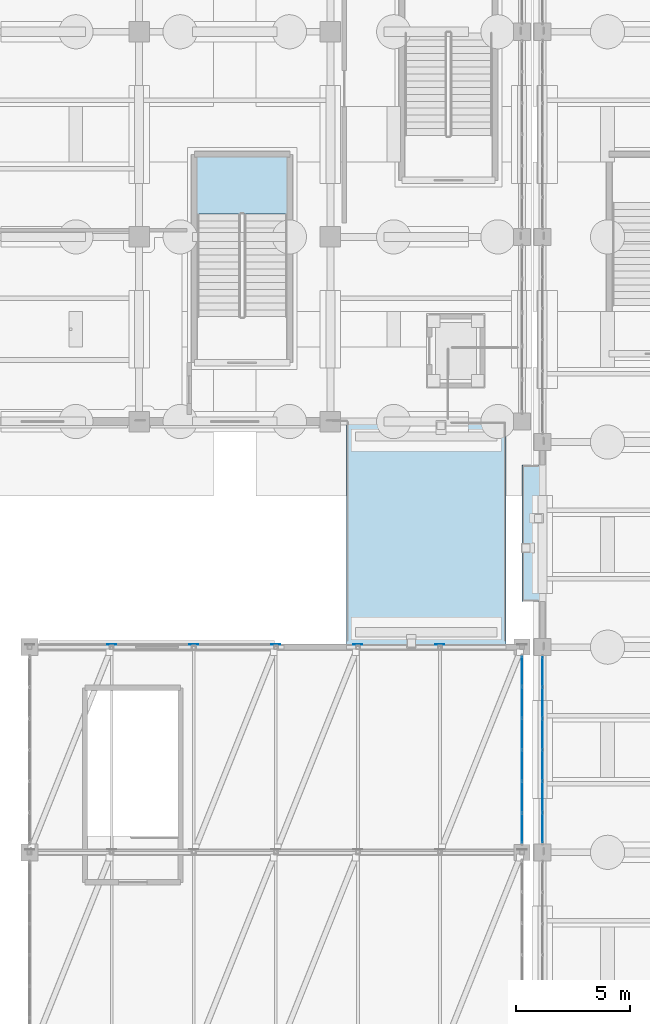
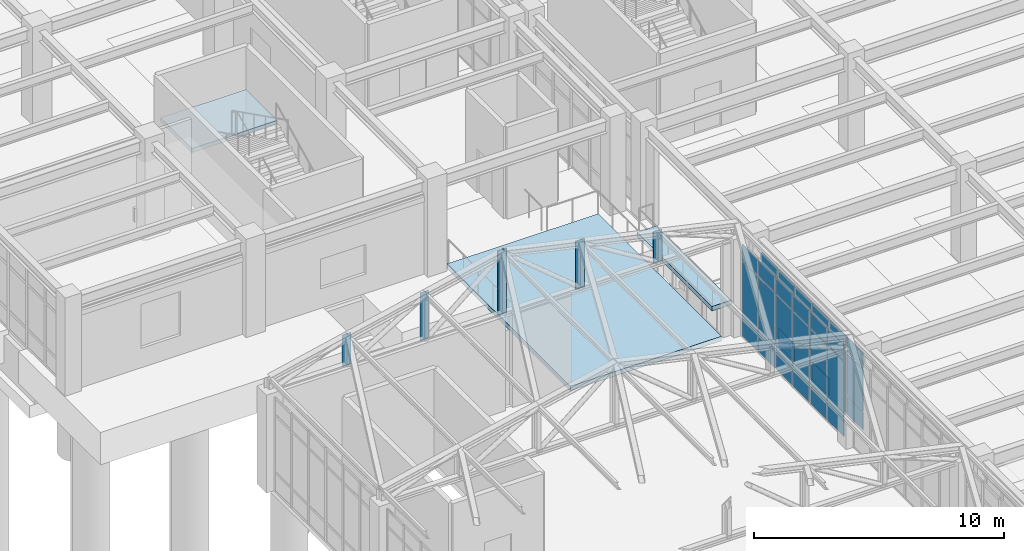
# One storey, part 101 of 139: 41 plates, 3 slabs, 3 elements without a shape of their own.
"""IFC4 building model written with IfcOpenShell, lengths in metres."""

from ifc_helpers import new_model, si_unit, direction, frame, origin, origin_2d, place, context, subcontext, project, spatial, polyline, rectangle, outline, extrude, material, layer, layer_set, type_object, element, aggregate, save


model = new_model("IFC4")

# Units and contexts
model_context = context("Model", 3, precision=1e-05, world=origin(), true_north=direction((0.0, 1.0)))
body_context = subcontext(model_context, "Body", "Model", "MODEL_VIEW")
ifc_project = project(units=[si_unit("LENGTHUNIT", "METRE"), si_unit("AREAUNIT", "SQUARE_METRE"), si_unit("VOLUMEUNIT", "CUBIC_METRE"), si_unit("PLANEANGLEUNIT", "RADIAN"), si_unit("MASSUNIT", "GRAM", prefix="KILO")], contexts=[model_context])

# Site, building, storey
site_placement = place(None, origin())
site = spatial("IfcSite", under=ifc_project, at=site_placement, CompositionType="ELEMENT")
building_placement = place(site_placement, origin())
building = spatial("IfcBuilding", under=site, at=building_placement, Name="Canglan Escarpment Cableway Terminal", CompositionType="ELEMENT")
storey_placement = place(building_placement, frame((0.0, 0.0, 14.39990234375)))
storey = spatial("IfcBuildingStorey", under=building, at=storey_placement, Name="L03", CompositionType="ELEMENT", Elevation=14.39990234375)

# Curtain wall, plates
ifc_material_1 = material(Name="Anodized bronze aluminium and Low-E double glazing", Category="aluminium")
curtain_wall_type_1 = type_object("IfcCurtainWallType", Name="CW-BAY-8250x3900", PredefinedType="NOTDEFINED", material=ifc_material_1)
curtain_wall_1_placement = place(storey_placement, origin())
curtain_wall_1 = element("IfcCurtainWall", 1, at=curtain_wall_1_placement, inside=storey, type_object=curtain_wall_type_1, Name="Classical bay-between-piers glazed curtain wall CW-62", PredefinedType="NOTDEFINED")
ifc_material_2 = material(Name="Double-silver Low-E laminated insulating glass", Category="glass")
ifc_layer_1 = layer(ifc_material_2, 0.02392578125, Name="Double-silver Low-E laminated insulating glass")
ifc_layer_set_1 = layer_set([ifc_layer_1], Name="Double-silver Low-E laminated insulating glass")
plate_type_1 = type_object("IfcPlateType", Name="CWP-01", PredefinedType="CURTAIN_PANEL", material=ifc_layer_set_1)
plate_1_placement = place(storey_placement, frame((137.60009765625, 77.921142578125, 0.06005859375), z_axis=(0.0, 0.0, 1.0), x_axis=(0.0, -1.0, 0.0)))
plate_1 = element("IfcPlate", 2, at=plate_1_placement, type_object=plate_type_1, Name="CW-62 panel 1.1", PredefinedType="CURTAIN_PANEL", context=body_context, shape_type="SweptSolid", body=[
    extrude(rectangle(XDim=1.277587890625, YDim=0.02392578125, at=origin_2d()), origin(), (0.0, 0.0, 1.0), 0.860107421875),
])
plate_2_placement = place(storey_placement, frame((137.60009765625, 77.921142578125, 0.97998046875), z_axis=(0.0, 0.0, 1.0), x_axis=(0.0, -1.0, 0.0)))
plate_2 = element("IfcPlate", 3, at=plate_2_placement, type_object=plate_type_1, Name="CW-62 panel 1.2", PredefinedType="CURTAIN_PANEL", context=body_context, shape_type="SweptSolid", body=[
    extrude(rectangle(XDim=1.277587890625, YDim=0.02392578125, at=origin_2d()), origin(), (0.0, 0.0, 1.0), 2.031005859375),
])
plate_3_placement = place(storey_placement, frame((137.60009765625, 77.921142578125, 3.0712890625), z_axis=(0.0, 0.0, 1.0), x_axis=(0.0, -1.0, 0.0)))
plate_3 = element("IfcPlate", 4, at=plate_3_placement, type_object=plate_type_1, Name="CW-62 panel 1.3", PredefinedType="CURTAIN_PANEL", context=body_context, shape_type="SweptSolid", body=[
    extrude(rectangle(XDim=1.277587890625, YDim=0.02392578125, at=origin_2d()), origin(), (0.0, 0.0, 1.0), 0.760009765625),
])
plate_4_placement = place(storey_placement, frame((137.60009765625, 76.5625, 0.06005859375), z_axis=(0.0, 0.0, 1.0), x_axis=(0.0, -1.0, 0.0)))
plate_4 = element("IfcPlate", 5, at=plate_4_placement, type_object=plate_type_1, Name="CW-62 panel 2.1", PredefinedType="CURTAIN_PANEL", context=body_context, shape_type="SweptSolid", body=[
    extrude(rectangle(XDim=1.31005859375, YDim=0.02392578125, at=origin_2d()), origin(), (0.0, 0.0, 1.0), 0.860107421875),
])
plate_5_placement = place(storey_placement, frame((137.60009765625, 76.5625, 0.97998046875), z_axis=(0.0, 0.0, 1.0), x_axis=(0.0, -1.0, 0.0)))
plate_5 = element("IfcPlate", 6, at=plate_5_placement, type_object=plate_type_1, Name="CW-62 panel 2.2", PredefinedType="CURTAIN_PANEL", context=body_context, shape_type="SweptSolid", body=[
    extrude(rectangle(XDim=1.31005859375, YDim=0.02392578125, at=origin_2d()), origin(), (0.0, 0.0, 1.0), 2.031005859375),
])
plate_6_placement = place(storey_placement, frame((137.60009765625, 76.5625, 3.0712890625), z_axis=(0.0, 0.0, 1.0), x_axis=(0.0, -1.0, 0.0)))
plate_6 = element("IfcPlate", 7, at=plate_6_placement, type_object=plate_type_1, Name="CW-62 panel 2.3", PredefinedType="CURTAIN_PANEL", context=body_context, shape_type="SweptSolid", body=[
    extrude(rectangle(XDim=1.31005859375, YDim=0.02392578125, at=origin_2d()), origin(), (0.0, 0.0, 1.0), 0.760009765625),
])
plate_7_placement = place(storey_placement, frame((137.60009765625, 75.1875, 0.06005859375), z_axis=(0.0, 0.0, 1.0), x_axis=(0.0, -1.0, 0.0)))
plate_7 = element("IfcPlate", 8, at=plate_7_placement, type_object=plate_type_1, Name="CW-62 panel 3.1", PredefinedType="CURTAIN_PANEL", context=body_context, shape_type="SweptSolid", body=[
    extrude(rectangle(XDim=1.31005859375, YDim=0.02392578125, at=origin_2d()), origin(), (0.0, 0.0, 1.0), 0.860107421875),
])
plate_8_placement = place(storey_placement, frame((137.60009765625, 75.1875, 0.97998046875), z_axis=(0.0, 0.0, 1.0), x_axis=(0.0, -1.0, 0.0)))
plate_8 = element("IfcPlate", 9, at=plate_8_placement, type_object=plate_type_1, Name="CW-62 panel 3.2", PredefinedType="CURTAIN_PANEL", context=body_context, shape_type="SweptSolid", body=[
    extrude(rectangle(XDim=1.31005859375, YDim=0.02392578125, at=origin_2d()), origin(), (0.0, 0.0, 1.0), 2.031005859375),
])
plate_9_placement = place(storey_placement, frame((137.60009765625, 75.1875, 3.0712890625), z_axis=(0.0, 0.0, 1.0), x_axis=(0.0, -1.0, 0.0)))
plate_9 = element("IfcPlate", 10, at=plate_9_placement, type_object=plate_type_1, Name="CW-62 panel 3.3", PredefinedType="CURTAIN_PANEL", context=body_context, shape_type="SweptSolid", body=[
    extrude(rectangle(XDim=1.31005859375, YDim=0.02392578125, at=origin_2d()), origin(), (0.0, 0.0, 1.0), 0.760009765625),
])
plate_10_placement = place(storey_placement, frame((137.60009765625, 73.8125, 0.06005859375), z_axis=(0.0, 0.0, 1.0), x_axis=(0.0, -1.0, 0.0)))
plate_10 = element("IfcPlate", 11, at=plate_10_placement, type_object=plate_type_1, Name="CW-62 panel 4.1", PredefinedType="CURTAIN_PANEL", context=body_context, shape_type="SweptSolid", body=[
    extrude(rectangle(XDim=1.31005859375, YDim=0.02392578125, at=origin_2d()), origin(), (0.0, 0.0, 1.0), 0.860107421875),
])
plate_11_placement = place(storey_placement, frame((137.60009765625, 73.8125, 0.97998046875), z_axis=(0.0, 0.0, 1.0), x_axis=(0.0, -1.0, 0.0)))
plate_11 = element("IfcPlate", 12, at=plate_11_placement, type_object=plate_type_1, Name="CW-62 panel 4.2", PredefinedType="CURTAIN_PANEL", context=body_context, shape_type="SweptSolid", body=[
    extrude(rectangle(XDim=1.31005859375, YDim=0.02392578125, at=origin_2d()), origin(), (0.0, 0.0, 1.0), 2.031005859375),
])
plate_12_placement = place(storey_placement, frame((137.60009765625, 73.8125, 3.0712890625), z_axis=(0.0, 0.0, 1.0), x_axis=(0.0, -1.0, 0.0)))
plate_12 = element("IfcPlate", 13, at=plate_12_placement, type_object=plate_type_1, Name="CW-62 panel 4.3", PredefinedType="CURTAIN_PANEL", context=body_context, shape_type="SweptSolid", body=[
    extrude(rectangle(XDim=1.31005859375, YDim=0.02392578125, at=origin_2d()), origin(), (0.0, 0.0, 1.0), 0.760009765625),
])
plate_13_placement = place(storey_placement, frame((137.60009765625, 72.4375, 0.06005859375), z_axis=(0.0, 0.0, 1.0), x_axis=(0.0, -1.0, 0.0)))
plate_13 = element("IfcPlate", 14, at=plate_13_placement, type_object=plate_type_1, Name="CW-62 panel 5.1", PredefinedType="CURTAIN_PANEL", context=body_context, shape_type="SweptSolid", body=[
    extrude(rectangle(XDim=1.31005859375, YDim=0.02392578125, at=origin_2d()), origin(), (0.0, 0.0, 1.0), 0.860107421875),
])
plate_14_placement = place(storey_placement, frame((137.60009765625, 72.4375, 0.97998046875), z_axis=(0.0, 0.0, 1.0), x_axis=(0.0, -1.0, 0.0)))
plate_14 = element("IfcPlate", 15, at=plate_14_placement, type_object=plate_type_1, Name="CW-62 panel 5.2", PredefinedType="CURTAIN_PANEL", context=body_context, shape_type="SweptSolid", body=[
    extrude(rectangle(XDim=1.31005859375, YDim=0.02392578125, at=origin_2d()), origin(), (0.0, 0.0, 1.0), 2.031005859375),
])
plate_15_placement = place(storey_placement, frame((137.60009765625, 72.4375, 3.0712890625), z_axis=(0.0, 0.0, 1.0), x_axis=(0.0, -1.0, 0.0)))
plate_15 = element("IfcPlate", 16, at=plate_15_placement, type_object=plate_type_1, Name="CW-62 panel 5.3", PredefinedType="CURTAIN_PANEL", context=body_context, shape_type="SweptSolid", body=[
    extrude(rectangle(XDim=1.31005859375, YDim=0.02392578125, at=origin_2d()), origin(), (0.0, 0.0, 1.0), 0.760009765625),
])
plate_16_placement = place(storey_placement, frame((137.60009765625, 71.078857421875, 0.06005859375), z_axis=(0.0, 0.0, 1.0), x_axis=(0.0, -1.0, 0.0)))
plate_16 = element("IfcPlate", 17, at=plate_16_placement, type_object=plate_type_1, Name="CW-62 panel 6.1", PredefinedType="CURTAIN_PANEL", context=body_context, shape_type="SweptSolid", body=[
    extrude(rectangle(XDim=1.277587890625, YDim=0.02392578125, at=origin_2d()), origin(), (0.0, 0.0, 1.0), 0.860107421875),
])
plate_17_placement = place(storey_placement, frame((137.60009765625, 71.078857421875, 0.97998046875), z_axis=(0.0, 0.0, 1.0), x_axis=(0.0, -1.0, 0.0)))
plate_17 = element("IfcPlate", 18, at=plate_17_placement, type_object=plate_type_1, Name="CW-62 panel 6.2", PredefinedType="CURTAIN_PANEL", context=body_context, shape_type="SweptSolid", body=[
    extrude(rectangle(XDim=1.277587890625, YDim=0.02392578125, at=origin_2d()), origin(), (0.0, 0.0, 1.0), 2.031005859375),
])
plate_18_placement = place(storey_placement, frame((137.60009765625, 71.078857421875, 3.0712890625), z_axis=(0.0, 0.0, 1.0), x_axis=(0.0, -1.0, 0.0)))
plate_18 = element("IfcPlate", 19, at=plate_18_placement, type_object=plate_type_1, Name="CW-62 panel 6.3", PredefinedType="CURTAIN_PANEL", context=body_context, shape_type="SweptSolid", body=[
    extrude(rectangle(XDim=1.277587890625, YDim=0.02392578125, at=origin_2d()), origin(), (0.0, 0.0, 1.0), 0.760009765625),
])
aggregate(curtain_wall_1, [plate_1, plate_2, plate_3, plate_4, plate_5, plate_6, plate_7, plate_8, plate_9, plate_10, plate_11, plate_12, plate_13, plate_14, plate_15, plate_16, plate_17, plate_18])

curtain_wall_type_2 = type_object("IfcCurtainWallType", Name="CW-BAY-8300x4600", PredefinedType="NOTDEFINED", material=ifc_material_1)
curtain_wall_2_placement = place(storey_placement, origin())
curtain_wall_2 = element("IfcCurtainWall", 20, at=curtain_wall_2_placement, inside=storey, type_object=curtain_wall_type_2, Name="Classical bay-between-piers glazed curtain wall CW-45", PredefinedType="NOTDEFINED")
ifc_layer_2 = layer(ifc_material_2, 0.028076171875, Name="Double-silver Low-E laminated insulating glass")
ifc_layer_set_2 = layer_set([ifc_layer_2], Name="Double-silver Low-E laminated insulating glass")
plate_type_2 = type_object("IfcPlateType", Name="CWP-02", PredefinedType="CURTAIN_PANEL", material=ifc_layer_set_2)
plate_19_placement = place(storey_placement, frame((136.699951171875, 71.057861328125, 0.06005859375), z_axis=(0.0, 0.0, 1.0), x_axis=(0.0, 1.0, 0.0)))
plate_19 = element("IfcPlate", 21, at=plate_19_placement, type_object=plate_type_2, Name="CW-45 panel 1.1", PredefinedType="CURTAIN_PANEL", context=body_context, shape_type="SweptSolid", body=[
    extrude(rectangle(XDim=1.285888671875, YDim=0.028076171875, at=origin_2d()), origin(), (0.0, 0.0, 1.0), 0.860107421875),
])
plate_20_placement = place(storey_placement, frame((136.699951171875, 71.057861328125, 0.97998046875), z_axis=(0.0, 0.0, 1.0), x_axis=(0.0, 1.0, 0.0)))
plate_20 = element("IfcPlate", 22, at=plate_20_placement, type_object=plate_type_2, Name="CW-45 panel 1.2", PredefinedType="CURTAIN_PANEL", context=body_context, shape_type="SweptSolid", body=[
    extrude(rectangle(XDim=1.285888671875, YDim=0.028076171875, at=origin_2d()), origin(), (0.0, 0.0, 1.0), 2.739990234375),
])
plate_21_placement = place(storey_placement, frame((136.699951171875, 71.057861328125, 3.7802734375), z_axis=(0.0, 0.0, 1.0), x_axis=(0.0, 1.0, 0.0)))
plate_21 = element("IfcPlate", 23, at=plate_21_placement, type_object=plate_type_2, Name="CW-45 panel 1.3", PredefinedType="CURTAIN_PANEL", context=body_context, shape_type="SweptSolid", body=[
    extrude(rectangle(XDim=1.285888671875, YDim=0.028076171875, at=origin_2d()), origin(), (0.0, 0.0, 1.0), 0.760009765625),
])
plate_22_placement = place(storey_placement, frame((136.699951171875, 72.425048828125, 0.06005859375), z_axis=(0.0, 0.0, 1.0), x_axis=(0.0, 1.0, 0.0)))
plate_22 = element("IfcPlate", 24, at=plate_22_placement, type_object=plate_type_2, Name="CW-45 panel 2.1", PredefinedType="CURTAIN_PANEL", context=body_context, shape_type="SweptSolid", body=[
    extrude(rectangle(XDim=1.318359375, YDim=0.028076171875, at=origin_2d()), origin(), (0.0, 0.0, 1.0), 0.860107421875),
])
plate_23_placement = place(storey_placement, frame((136.699951171875, 72.425048828125, 0.97998046875), z_axis=(0.0, 0.0, 1.0), x_axis=(0.0, 1.0, 0.0)))
plate_23 = element("IfcPlate", 25, at=plate_23_placement, type_object=plate_type_2, Name="CW-45 panel 2.2", PredefinedType="CURTAIN_PANEL", context=body_context, shape_type="SweptSolid", body=[
    extrude(rectangle(XDim=1.318359375, YDim=0.028076171875, at=origin_2d()), origin(), (0.0, 0.0, 1.0), 2.739990234375),
])
plate_24_placement = place(storey_placement, frame((136.699951171875, 72.425048828125, 3.7802734375), z_axis=(0.0, 0.0, 1.0), x_axis=(0.0, 1.0, 0.0)))
plate_24 = element("IfcPlate", 26, at=plate_24_placement, type_object=plate_type_2, Name="CW-45 panel 2.3", PredefinedType="CURTAIN_PANEL", context=body_context, shape_type="SweptSolid", body=[
    extrude(rectangle(XDim=1.318359375, YDim=0.028076171875, at=origin_2d()), origin(), (0.0, 0.0, 1.0), 0.760009765625),
])
plate_25_placement = place(storey_placement, frame((136.699951171875, 73.808349609375, 0.06005859375), z_axis=(0.0, 0.0, 1.0), x_axis=(0.0, 1.0, 0.0)))
plate_25 = element("IfcPlate", 27, at=plate_25_placement, type_object=plate_type_2, Name="CW-45 panel 3.1", PredefinedType="CURTAIN_PANEL", context=body_context, shape_type="SweptSolid", body=[
    extrude(rectangle(XDim=1.318359375, YDim=0.028076171875, at=origin_2d()), origin(), (0.0, 0.0, 1.0), 0.860107421875),
])
plate_26_placement = place(storey_placement, frame((136.699951171875, 73.808349609375, 0.97998046875), z_axis=(0.0, 0.0, 1.0), x_axis=(0.0, 1.0, 0.0)))
plate_26 = element("IfcPlate", 28, at=plate_26_placement, type_object=plate_type_2, Name="CW-45 panel 3.2", PredefinedType="CURTAIN_PANEL", context=body_context, shape_type="SweptSolid", body=[
    extrude(rectangle(XDim=1.318359375, YDim=0.028076171875, at=origin_2d()), origin(), (0.0, 0.0, 1.0), 2.739990234375),
])
plate_27_placement = place(storey_placement, frame((136.699951171875, 73.808349609375, 3.7802734375), z_axis=(0.0, 0.0, 1.0), x_axis=(0.0, 1.0, 0.0)))
plate_27 = element("IfcPlate", 29, at=plate_27_placement, type_object=plate_type_2, Name="CW-45 panel 3.3", PredefinedType="CURTAIN_PANEL", context=body_context, shape_type="SweptSolid", body=[
    extrude(rectangle(XDim=1.318359375, YDim=0.028076171875, at=origin_2d()), origin(), (0.0, 0.0, 1.0), 0.760009765625),
])
plate_28_placement = place(storey_placement, frame((136.699951171875, 75.191650390625, 0.06005859375), z_axis=(0.0, 0.0, 1.0), x_axis=(0.0, 1.0, 0.0)))
plate_28 = element("IfcPlate", 30, at=plate_28_placement, type_object=plate_type_2, Name="CW-45 panel 4.1", PredefinedType="CURTAIN_PANEL", context=body_context, shape_type="SweptSolid", body=[
    extrude(rectangle(XDim=1.318359375, YDim=0.028076171875, at=origin_2d()), origin(), (0.0, 0.0, 1.0), 0.860107421875),
])
plate_29_placement = place(storey_placement, frame((136.699951171875, 75.191650390625, 0.97998046875), z_axis=(0.0, 0.0, 1.0), x_axis=(0.0, 1.0, 0.0)))
plate_29 = element("IfcPlate", 31, at=plate_29_placement, type_object=plate_type_2, Name="CW-45 panel 4.2", PredefinedType="CURTAIN_PANEL", context=body_context, shape_type="SweptSolid", body=[
    extrude(rectangle(XDim=1.318359375, YDim=0.028076171875, at=origin_2d()), origin(), (0.0, 0.0, 1.0), 2.739990234375),
])
plate_30_placement = place(storey_placement, frame((136.699951171875, 75.191650390625, 3.7802734375), z_axis=(0.0, 0.0, 1.0), x_axis=(0.0, 1.0, 0.0)))
plate_30 = element("IfcPlate", 32, at=plate_30_placement, type_object=plate_type_2, Name="CW-45 panel 4.3", PredefinedType="CURTAIN_PANEL", context=body_context, shape_type="SweptSolid", body=[
    extrude(rectangle(XDim=1.318359375, YDim=0.028076171875, at=origin_2d()), origin(), (0.0, 0.0, 1.0), 0.760009765625),
])
plate_31_placement = place(storey_placement, frame((136.699951171875, 76.574951171875, 0.06005859375), z_axis=(0.0, 0.0, 1.0), x_axis=(0.0, 1.0, 0.0)))
plate_31 = element("IfcPlate", 33, at=plate_31_placement, type_object=plate_type_2, Name="CW-45 panel 5.1", PredefinedType="CURTAIN_PANEL", context=body_context, shape_type="SweptSolid", body=[
    extrude(rectangle(XDim=1.318359375, YDim=0.028076171875, at=origin_2d()), origin(), (0.0, 0.0, 1.0), 0.860107421875),
])
plate_32_placement = place(storey_placement, frame((136.699951171875, 76.574951171875, 0.97998046875), z_axis=(0.0, 0.0, 1.0), x_axis=(0.0, 1.0, 0.0)))
plate_32 = element("IfcPlate", 34, at=plate_32_placement, type_object=plate_type_2, Name="CW-45 panel 5.2", PredefinedType="CURTAIN_PANEL", context=body_context, shape_type="SweptSolid", body=[
    extrude(rectangle(XDim=1.318359375, YDim=0.028076171875, at=origin_2d()), origin(), (0.0, 0.0, 1.0), 2.739990234375),
])
plate_33_placement = place(storey_placement, frame((136.699951171875, 76.574951171875, 3.7802734375), z_axis=(0.0, 0.0, 1.0), x_axis=(0.0, 1.0, 0.0)))
plate_33 = element("IfcPlate", 35, at=plate_33_placement, type_object=plate_type_2, Name="CW-45 panel 5.3", PredefinedType="CURTAIN_PANEL", context=body_context, shape_type="SweptSolid", body=[
    extrude(rectangle(XDim=1.318359375, YDim=0.028076171875, at=origin_2d()), origin(), (0.0, 0.0, 1.0), 0.760009765625),
])
plate_34_placement = place(storey_placement, frame((136.699951171875, 77.942138671875, 0.06005859375), z_axis=(0.0, 0.0, 1.0), x_axis=(0.0, 1.0, 0.0)))
plate_34 = element("IfcPlate", 36, at=plate_34_placement, type_object=plate_type_2, Name="CW-45 panel 6.1", PredefinedType="CURTAIN_PANEL", context=body_context, shape_type="SweptSolid", body=[
    extrude(rectangle(XDim=1.285888671875, YDim=0.028076171875, at=origin_2d()), origin(), (0.0, 0.0, 1.0), 0.860107421875),
])
plate_35_placement = place(storey_placement, frame((136.699951171875, 77.942138671875, 0.97998046875), z_axis=(0.0, 0.0, 1.0), x_axis=(0.0, 1.0, 0.0)))
plate_35 = element("IfcPlate", 37, at=plate_35_placement, type_object=plate_type_2, Name="CW-45 panel 6.2", PredefinedType="CURTAIN_PANEL", context=body_context, shape_type="SweptSolid", body=[
    extrude(rectangle(XDim=1.285888671875, YDim=0.028076171875, at=origin_2d()), origin(), (0.0, 0.0, 1.0), 2.739990234375),
])
plate_36_placement = place(storey_placement, frame((136.699951171875, 77.942138671875, 3.7802734375), z_axis=(0.0, 0.0, 1.0), x_axis=(0.0, 1.0, 0.0)))
plate_36 = element("IfcPlate", 38, at=plate_36_placement, type_object=plate_type_2, Name="CW-45 panel 6.3", PredefinedType="CURTAIN_PANEL", context=body_context, shape_type="SweptSolid", body=[
    extrude(rectangle(XDim=1.285888671875, YDim=0.028076171875, at=origin_2d()), origin(), (0.0, 0.0, 1.0), 0.760009765625),
])
aggregate(curtain_wall_2, [plate_19, plate_20, plate_21, plate_22, plate_23, plate_24, plate_25, plate_26, plate_27, plate_28, plate_29, plate_30, plate_31, plate_32, plate_33, plate_34, plate_35, plate_36])

# Plates
ifc_material_3 = material(Name="Steel Q355B", Category="steel")
ifc_layer_3 = layer(ifc_material_3, 0.02001953125, Name="Steel Q355B")
ifc_layer_set_3 = layer_set([ifc_layer_3], Name="Steel Q355B")
plate_type_3 = type_object("IfcPlateType", Name="PLT-GUSSET-20", PredefinedType="USERDEFINED", material=ifc_layer_set_3)
plate_37_placement = place(storey_placement, frame((118.699951171875, 79.114990234375, 4.580078125), z_axis=(0.0, 0.0, 1.0), x_axis=(1.0, 0.0, 0.0)))
element("IfcPlate", 39, at=plate_37_placement, inside=storey, type_object=plate_type_3, Name="Pratt truss gusset plate GP-02", ObjectType="GUSSET PLATE", PredefinedType="USERDEFINED", context=body_context, shape_type="SweptSolid", body=[
    extrude(rectangle(XDim=0.39990234375, YDim=0.02001953125, at=origin_2d()), origin(), (0.0, 0.0, 1.0), 1.5400390625),
])
plate_38_placement = place(storey_placement, frame((122.300048828125, 79.114990234375, 4.580078125), z_axis=(0.0, 0.0, 1.0), x_axis=(1.0, 0.0, 0.0)))
element("IfcPlate", 40, at=plate_38_placement, inside=storey, type_object=plate_type_3, Name="Pratt truss gusset plate GP-02", ObjectType="GUSSET PLATE", PredefinedType="USERDEFINED", context=body_context, shape_type="SweptSolid", body=[
    extrude(rectangle(XDim=0.39990234375, YDim=0.02001953125, at=origin_2d()), origin(), (0.0, 0.0, 1.0), 2.340087890625),
])
plate_39_placement = place(storey_placement, frame((125.89990234375, 79.114990234375, 4.580078125), z_axis=(0.0, 0.0, 1.0), x_axis=(1.0, 0.0, 0.0)))
element("IfcPlate", 41, at=plate_39_placement, inside=storey, type_object=plate_type_3, Name="Pratt truss gusset plate GP-02", ObjectType="GUSSET PLATE", PredefinedType="USERDEFINED", context=body_context, shape_type="SweptSolid", body=[
    extrude(rectangle(XDim=0.39990234375, YDim=0.02001953125, at=origin_2d()), origin(), (0.0, 0.0, 1.0), 3.139892578125),
])
plate_40_placement = place(storey_placement, frame((129.5, 79.114990234375, 4.580078125), z_axis=(0.0, 0.0, 1.0), x_axis=(1.0, 0.0, 0.0)))
element("IfcPlate", 42, at=plate_40_placement, inside=storey, type_object=plate_type_3, Name="Pratt truss gusset plate GP-02", ObjectType="GUSSET PLATE", PredefinedType="USERDEFINED", context=body_context, shape_type="SweptSolid", body=[
    extrude(rectangle(XDim=0.39990234375, YDim=0.02001953125, at=origin_2d()), origin(), (0.0, 0.0, 1.0), 2.340087890625),
])
plate_41_placement = place(storey_placement, frame((133.10009765625, 79.114990234375, 4.580078125), z_axis=(0.0, 0.0, 1.0), x_axis=(1.0, 0.0, 0.0)))
element("IfcPlate", 43, at=plate_41_placement, inside=storey, type_object=plate_type_3, Name="Pratt truss gusset plate GP-02", ObjectType="GUSSET PLATE", PredefinedType="USERDEFINED", context=body_context, shape_type="SweptSolid", body=[
    extrude(rectangle(XDim=0.39990234375, YDim=0.02001953125, at=origin_2d()), origin(), (0.0, 0.0, 1.0), 1.5400390625),
])

# Slabs
ifc_material_4 = material(Name="Concrete C40", Category="concrete")
ifc_layer_4 = layer(ifc_material_4, 0.219970703125, Name="Concrete C40")
ifc_layer_set_4 = layer_set([ifc_layer_4], Name="Concrete C40")
slab_type_1 = type_object("IfcSlabType", Name="SLB-LINK-220", PredefinedType="FLOOR", material=ifc_layer_set_4)
slab_1_placement = place(storey_placement, frame((0.0, 0.0, -0.219970703125)))
element("IfcSlab", 44, at=slab_1_placement, inside=storey, type_object=slab_type_1, Name="Movement-joint concourse link slab MJ-S1", PredefinedType="FLOOR", context=body_context, shape_type="SweptSolid", body=[
    extrude(outline(polyline([(136.699951171875, 81.0), (136.699951171875, 87.0), (137.594970703125, 87.0), (137.594970703125, 81.0), (136.699951171875, 81.0)])), origin(), (0.0, 0.0, 1.0), 0.219970703125),
])
slab_2_placement = place(storey_placement, frame((0.0, 0.0, -0.219970703125)))
element("IfcSlab", 45, at=slab_2_placement, inside=storey, type_object=slab_type_1, Name="Movement-joint concourse link slab MJ-S1", PredefinedType="FLOOR", context=body_context, shape_type="SweptSolid", body=[
    extrude(outline(polyline([(136.0, 79.0048828125), (129.0, 79.0048828125), (129.0, 88.89501953125), (136.0, 88.89501953125), (136.0, 79.0048828125)])), origin(), (0.0, 0.0, 1.0), 0.219970703125),
])

# Stair, slab
stair_type = type_object("IfcStairType", Name="STR-DOGLEG-1900", PredefinedType="HALF_TURN_STAIR", material=ifc_material_4)
stair_placement = place(storey_placement, origin())
stair = element("IfcStair", 46, at=stair_placement, inside=storey, type_object=stair_type, Name="L03 Protected Exit Stair ST-12", PredefinedType="HALF_TURN_STAIR")
ifc_layer_5 = layer(ifc_material_4, 0.199951171875, Name="Concrete C40")
ifc_layer_set_5 = layer_set([ifc_layer_5], Name="Concrete C40")
slab_type_2 = type_object("IfcSlabType", Name="SLB-STAIR-LAND-200", PredefinedType="LANDING", material=ifc_layer_set_5)
slab_3_placement = place(storey_placement, frame((0.0, 0.0, 2.2001953125)))
slab_3 = element("IfcSlab", 47, at=slab_3_placement, type_object=slab_type_2, Name="ST-12 landing 1", PredefinedType="LANDING", context=body_context, shape_type="SweptSolid", body=[
    extrude(outline(polyline([(126.39990234375, 98.0), (126.39990234375, 100.5), (122.449951171875, 100.5), (122.449951171875, 98.0), (126.39990234375, 98.0)])), origin(), (0.0, 0.0, 1.0), 0.199951171875),
])
aggregate(stair, [slab_3])

save(model, "model.ifc")
